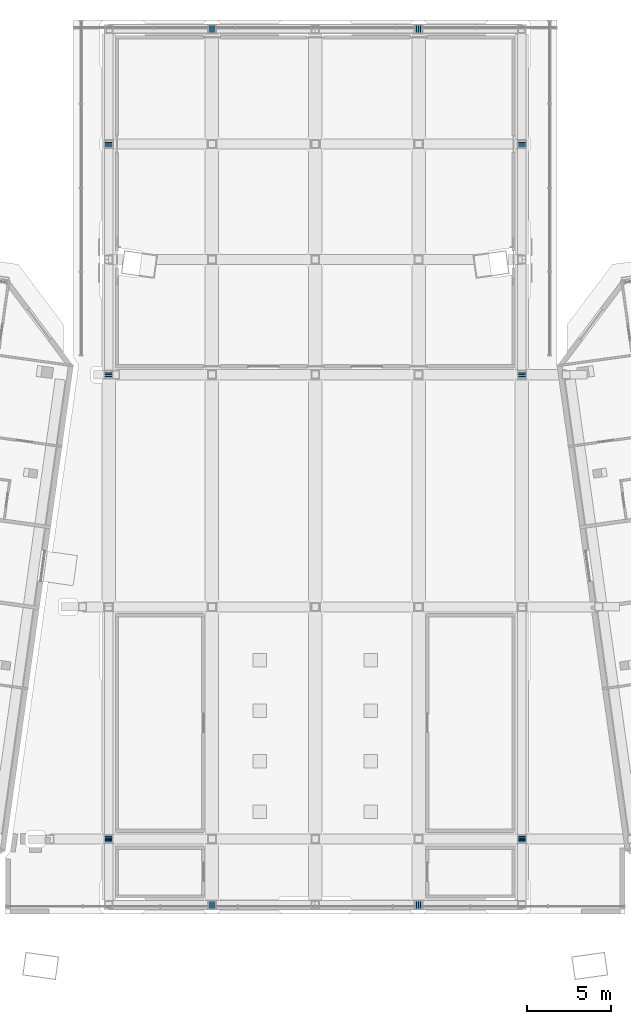
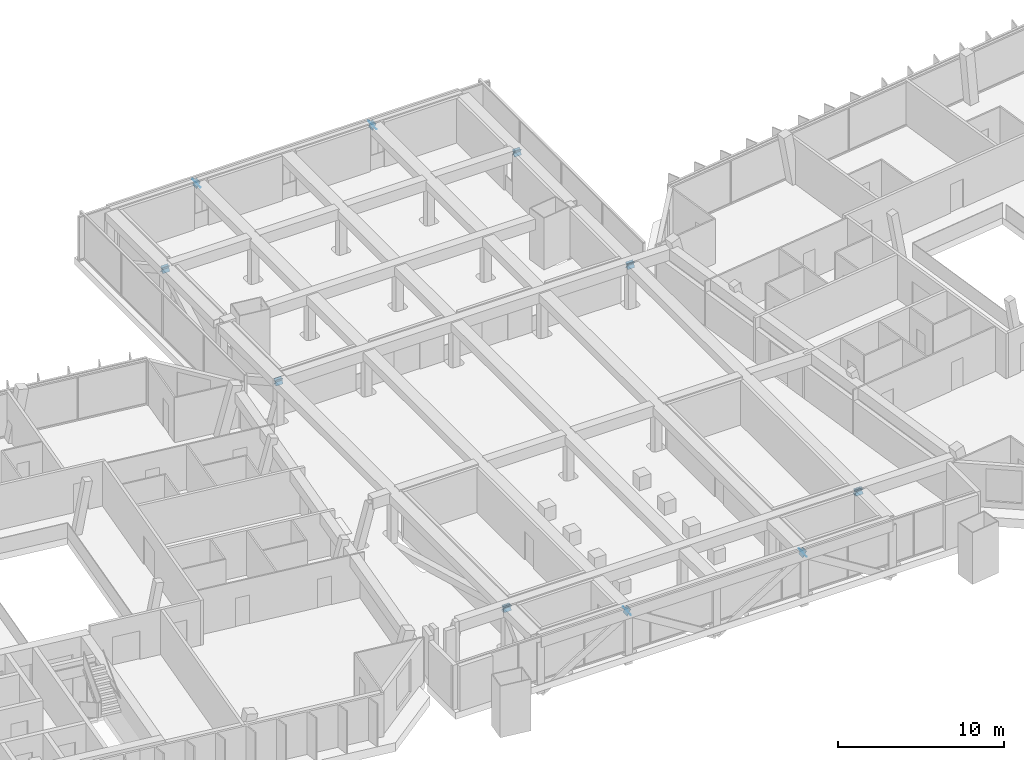
# One storey, part 25 of 30: 24 discrete accessories.
"""IFC4 building model written with IfcOpenShell, lengths in metres."""

from ifc_helpers import new_model, si_unit, direction, frame, origin, origin_2d, place, context, subcontext, project, spatial, rectangle, extrude, material, material_profile, profile_set, type_object, element, save


model = new_model("IFC4")

# Units and contexts
model_context = context("Model", 3, precision=1e-05, world=origin(), true_north=direction((0.0, 1.0)))
body_context = subcontext(model_context, "Body", "Model", "MODEL_VIEW")
ifc_project = project(units=[si_unit("LENGTHUNIT", "METRE"), si_unit("AREAUNIT", "SQUARE_METRE"), si_unit("VOLUMEUNIT", "CUBIC_METRE"), si_unit("PLANEANGLEUNIT", "RADIAN"), si_unit("MASSUNIT", "GRAM", prefix="KILO")], contexts=[model_context])

# Site, building, storey
site_placement = place(None, origin())
site = spatial("IfcSite", under=ifc_project, at=site_placement, CompositionType="ELEMENT")
building_placement = place(site_placement, origin())
building = spatial("IfcBuilding", under=site, at=building_placement, Name="Mirante Cascada Hotel Towers", CompositionType="ELEMENT")
storey_placement = place(building_placement, frame((0.0, 0.0, 258.4)))
storey = spatial("IfcBuildingStorey", under=building, at=storey_placement, Name="L62", CompositionType="ELEMENT", Elevation=258.4)

# Discrete accessories
ifc_material = material(Name="Steel ASTM A572 Gr 50", Category="steel")
ifc_material_profile = material_profile(ifc_material, rectangle(XDim=0.5, YDim=0.5, at=origin_2d()), Name="Connection plate 500x500x25 ASTM A572 Gr 50")
ifc_profile_set = profile_set([ifc_material_profile], Name="Steel ASTM A572 Gr 50")
discrete_accessory_type = type_object("IfcDiscreteAccessoryType", Name="Connection plate 500x500x25 ASTM A572 Gr 50", PredefinedType="BRACKET", material=ifc_profile_set)
for number, where, z_axis, x_axis, name in (
    (1, (-12.2514, -17.6242, 2.8913), (0.0, 0.7170505, 0.6970212), (-1.0, 0.0, 0.0), "Connection plate SP-D1"),
    (2, (-12.2514, -17.6032, 2.8967), (0.0, -0.9644862, 0.2641332), (1.0, 0.0, 0.0), "Connection plate SP-D1"),
    (3, (-12.2514, 9.9251, 2.8939), (0.0, -0.8726425, 0.4883596), (1.0, 0.0, 0.0), "Connection plate SP-D1"),
):
    element("IfcDiscreteAccessory", number, at=place(storey_placement, frame(where, z_axis=z_axis, x_axis=x_axis)), inside=storey, type_object=discrete_accessory_type, Name=name, PredefinedType="BRACKET", context=body_context, shape_type="SweptSolid", body=[
        extrude(rectangle(XDim=0.5, YDim=0.5, at=origin_2d()), origin(), (0.0, 0.0, 1.0), 0.025),
    ])
for number, where, z_axis, x_axis, name in (
    (4, (-12.2514, 23.5699, 2.8939), (0.0, 0.8735922, 0.4866587), (-1.0, 0.0, 0.0), "Connection plate SP-D1"),
    (5, (-12.2514, 23.5918, 2.8939), (0.0, -0.8735922, 0.4866587), (1.0, 0.0, 0.0), "Connection plate SP-D1"),
):
    element("IfcDiscreteAccessory", number, at=place(storey_placement, frame(where, z_axis=z_axis, x_axis=x_axis)), inside=storey, type_object=discrete_accessory_type, Name=name, PredefinedType="BRACKET", context=body_context, shape_type="SweptSolid", body=[
        extrude(rectangle(XDim=0.5, YDim=0.5, at=origin_2d()), origin(), (0.0, 0.0, 1.0), 0.0251),
    ])
for number, where, z_axis, x_axis, name in (
    (6, (12.2514, -17.6242, 2.8913), (0.0, 0.7170505, 0.6970212), (-1.0, 0.0, 0.0), "Connection plate SP-D5"),
    (7, (12.2514, -17.6032, 2.8967), (0.0, -0.9644862, 0.2641332), (1.0, 0.0, 0.0), "Connection plate SP-D5"),
    (8, (12.2514, 9.9251, 2.8939), (0.0, -0.8726425, 0.4883596), (1.0, 0.0, 0.0), "Connection plate SP-D5"),
):
    element("IfcDiscreteAccessory", number, at=place(storey_placement, frame(where, z_axis=z_axis, x_axis=x_axis)), inside=storey, type_object=discrete_accessory_type, Name=name, PredefinedType="BRACKET", context=body_context, shape_type="SweptSolid", body=[
        extrude(rectangle(XDim=0.5, YDim=0.5, at=origin_2d()), origin(), (0.0, 0.0, 1.0), 0.025),
    ])
for number, where, z_axis, x_axis, name in (
    (9, (12.2514, 23.5699, 2.8939), (0.0, 0.8735922, 0.4866587), (-1.0, 0.0, 0.0), "Connection plate SP-D5"),
    (10, (12.2514, 23.5918, 2.8939), (0.0, -0.8735922, 0.4866587), (1.0, 0.0, 0.0), "Connection plate SP-D5"),
):
    element("IfcDiscreteAccessory", number, at=place(storey_placement, frame(where, z_axis=z_axis, x_axis=x_axis)), inside=storey, type_object=discrete_accessory_type, Name=name, PredefinedType="BRACKET", context=body_context, shape_type="SweptSolid", body=[
        extrude(rectangle(XDim=0.5, YDim=0.5, at=origin_2d()), origin(), (0.0, 0.0, 1.0), 0.0251),
    ])
for number, where, z_axis, x_axis, name in (
    (11, (-6.1363, 30.4142, 2.8934), (0.8488969, 0.0, 0.5285585), (0.0, 1.0, 0.0), "Connection plate SP-ETD"),
    (12, (-6.1151, 30.4142, 2.8934), (-0.8488969, 0.0, 0.5285585), (0.0, -1.0, 0.0), "Connection plate SP-ETD"),
    (13, (6.1151, 30.4142, 2.8934), (0.8488969, 0.0, 0.5285585), (0.0, 1.0, 0.0), "Connection plate SP-ETD"),
    (14, (6.1363, 30.4142, 2.8934), (-0.8488969, 0.0, 0.5285585), (0.0, -1.0, 0.0), "Connection plate SP-ETD"),
    (15, (-6.1363, -21.5153, 2.8934), (0.8488969, 0.0, 0.5285585), (0.0, 1.0, 0.0), "Connection plate SP-ERD"),
    (16, (-6.1151, -21.5153, 2.8934), (-0.8488969, 0.0, 0.5285585), (0.0, -1.0, 0.0), "Connection plate SP-ERD"),
    (17, (6.1151, -21.5153, 2.8934), (0.8488969, 0.0, 0.5285585), (0.0, 1.0, 0.0), "Connection plate SP-ERD"),
    (18, (6.1363, -21.5153, 2.8934), (-0.8488969, 0.0, 0.5285585), (0.0, -1.0, 0.0), "Connection plate SP-ERD"),
    (19, (-12.2514, -17.6063, 2.8913), (0.0, -0.7170505, 0.6970212), (1.0, 0.0, 0.0), "Connection plate SP-D1"),
    (20, (-12.2514, -17.6273, 2.8967), (0.0, 0.9644862, 0.2641332), (-1.0, 0.0, 0.0), "Connection plate SP-D1"),
    (21, (-12.2514, 9.9033, 2.8939), (0.0, 0.8726425, 0.4883596), (-1.0, 0.0, 0.0), "Connection plate SP-D1"),
    (22, (12.2514, -17.6063, 2.8913), (0.0, -0.7170505, 0.6970212), (1.0, 0.0, 0.0), "Connection plate SP-D5"),
    (23, (12.2514, -17.6273, 2.8967), (0.0, 0.9644862, 0.2641332), (-1.0, 0.0, 0.0), "Connection plate SP-D5"),
    (24, (12.2514, 9.9033, 2.8939), (0.0, 0.8726425, 0.4883596), (-1.0, 0.0, 0.0), "Connection plate SP-D5"),
):
    element("IfcDiscreteAccessory", number, at=place(storey_placement, frame(where, z_axis=z_axis, x_axis=x_axis)), inside=storey, type_object=discrete_accessory_type, Name=name, PredefinedType="BRACKET", context=body_context, shape_type="SweptSolid", body=[
        extrude(rectangle(XDim=0.5, YDim=0.5, at=origin_2d()), origin(), (0.0, 0.0, 1.0), 0.025),
    ])

save(model, "model.ifc")
